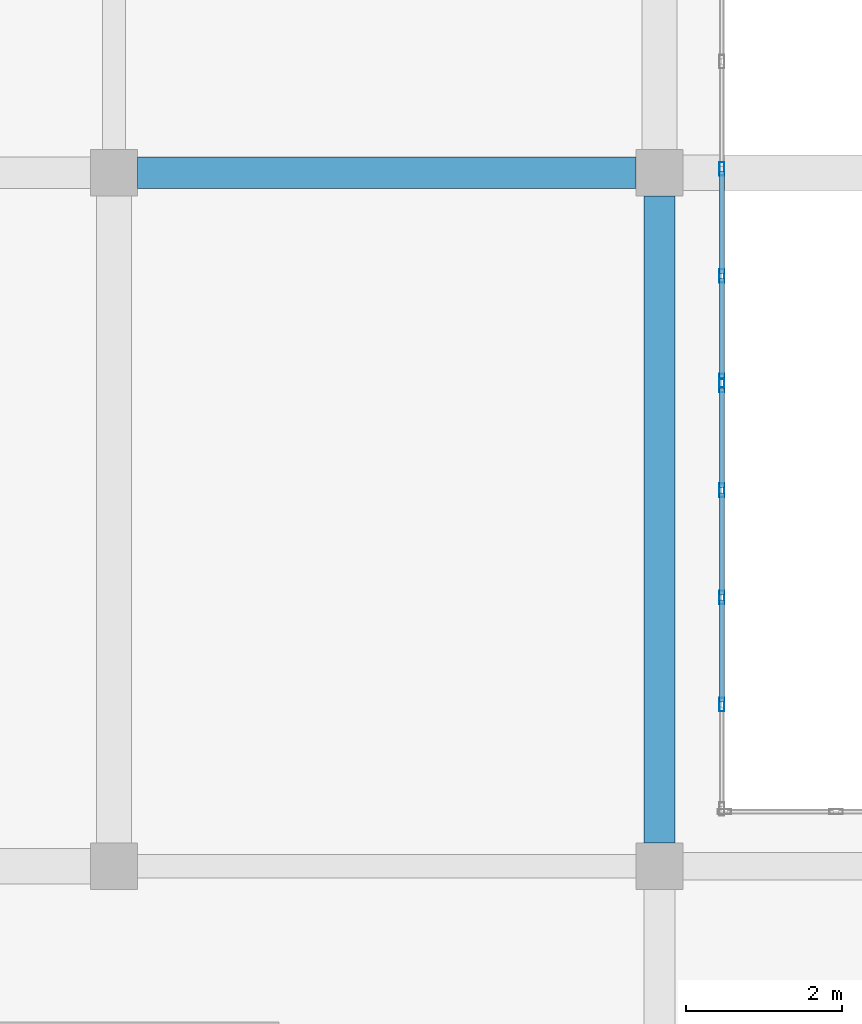
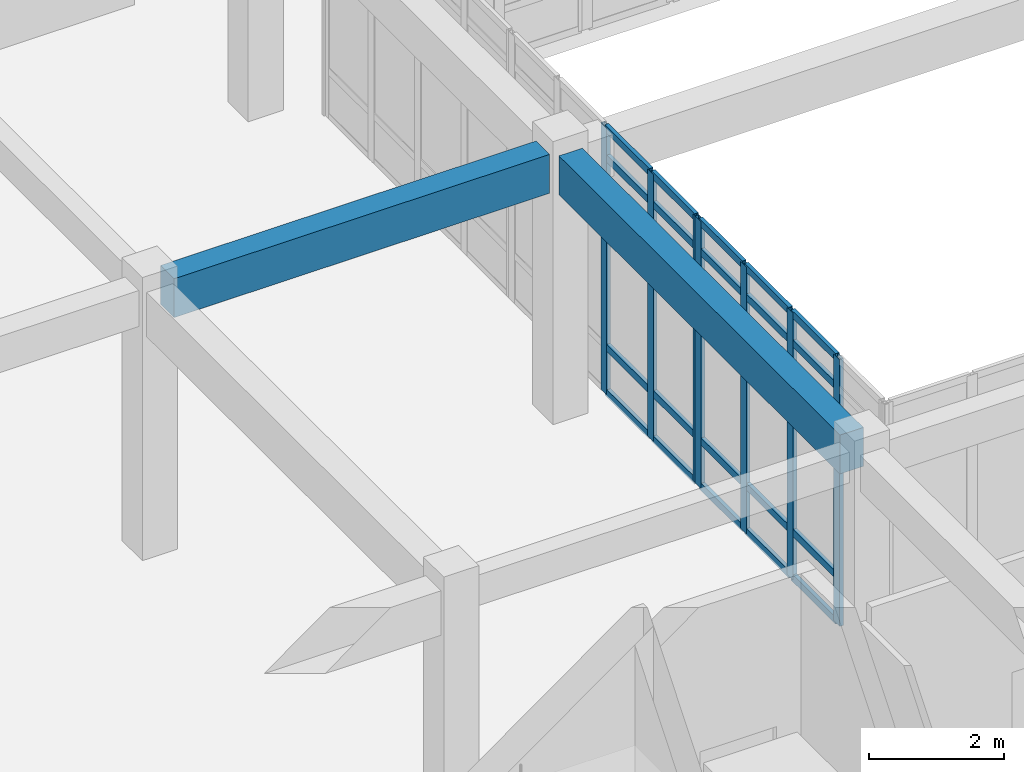
# One storey, part 48 of 121: 27 members, 2 beams, 2 elements without a shape of their own.
"""IFC4 building model written with IfcOpenShell, lengths in metres."""

from ifc_helpers import new_model, si_unit, direction, frame, origin, origin_2d, place, context, subcontext, project, spatial, rectangle, hollow_rectangle, extrude, material, layer, layer_set, material_profile, profile_set, type_object, element, aggregate, save


model = new_model("IFC4")

# Units and contexts
model_context = context("Model", 3, precision=1e-05, world=origin(), true_north=direction((0.0, 1.0)))
body_context = subcontext(model_context, "Body", "Model", "MODEL_VIEW")
ifc_project = project(units=[si_unit("LENGTHUNIT", "METRE"), si_unit("AREAUNIT", "SQUARE_METRE"), si_unit("VOLUMEUNIT", "CUBIC_METRE"), si_unit("PLANEANGLEUNIT", "RADIAN"), si_unit("MASSUNIT", "GRAM", prefix="KILO")], contexts=[model_context])

# Site, building, storey
site_placement = place(None, origin())
site = spatial("IfcSite", under=ifc_project, at=site_placement, CompositionType="ELEMENT")
building_placement = place(site_placement, origin())
building = spatial("IfcBuilding", under=site, at=building_placement, Name="Valcora Specialist Clinic", CompositionType="ELEMENT")
storey_placement = place(building_placement, origin())
storey = spatial("IfcBuildingStorey", under=building, at=storey_placement, Name="L00", CompositionType="ELEMENT", Elevation=0.0)

# Beams
ifc_material_1 = material(Name="Concrete C40/50", Category="concrete")
ifc_material_profile_1 = material_profile(ifc_material_1, rectangle(XDim=0.39990234375, YDim=0.699951171875, at=origin_2d()), Name="RC-BM-400X700")
ifc_profile_set_1 = profile_set([ifc_material_profile_1], Name="Concrete C40/50")
beam_type = type_object("IfcBeamType", Name="TY-BM-RC400X700", PredefinedType="BEAM", material=ifc_profile_set_1)
beam_1_placement = place(storey_placement, frame((69.300048828125, 90.199951171875, 4.4599609375), z_axis=(1.0, 0.0, 0.0), x_axis=(0.0, 1.0, 0.0)))
element("IfcBeam", 1, at=beam_1_placement, inside=storey, type_object=beam_type, Name="Beam BM-L00-0550", PredefinedType="BEAM", context=body_context, shape_type="SweptSolid", body=[
    extrude(rectangle(XDim=0.39990234375, YDim=0.699951171875, at=origin_2d()), origin(), (0.0, 0.0, 1.0), 6.39990234375),
])
beam_2_placement = place(storey_placement, frame((76.0, 81.60009765625, 4.4599609375), z_axis=(0.0, 1.0, 0.0), x_axis=(-1.0, 0.0, 0.0)))
element("IfcBeam", 2, at=beam_2_placement, inside=storey, type_object=beam_type, Name="Beam BM-L00-0584", PredefinedType="BEAM", context=body_context, shape_type="SweptSolid", body=[
    extrude(rectangle(XDim=0.39990234375, YDim=0.699951171875, at=origin_2d()), origin(), (0.0, 0.0, 1.0), 8.2998046875),
])

# Curtain wall, members
ifc_material_2 = material(Name="Anodized Bronze Aluminium 6063-T6", Category="aluminium")
ifc_layer = layer(ifc_material_2, 0.175048828125)
ifc_layer_set = layer_set([ifc_layer], Name="Anodized Bronze Aluminium 6063-T6")
curtain_wall_type = type_object("IfcCurtainWallType", Name="TY-CW-CRT15", PredefinedType="NOTDEFINED", material=ifc_layer_set)
curtain_wall_1_placement = place(storey_placement, origin())
curtain_wall_1 = element("IfcCurtainWall", 3, at=curtain_wall_1_placement, inside=storey, type_object=curtain_wall_type, Name="Curtain wall CW-L00-039", PredefinedType="NOTDEFINED")
ifc_material_profile_2 = material_profile(ifc_material_2, hollow_rectangle(XDim=0.06494140625, YDim=0.175048828125, WallThickness=0.00390625, at=origin_2d()), Name="AL-MUL-65X175")
ifc_profile_set_2 = profile_set([ifc_material_profile_2], Name="Anodized Bronze Aluminium 6063-T6")
member_type_1 = type_object("IfcMemberType", Name="TY-CWM-65X175", PredefinedType="MULLION", material=ifc_profile_set_2)
member_1_placement = place(storey_placement, frame((76.800048828125, 90.25, 0.0), z_axis=(0.0, 0.0, 1.0), x_axis=(1.0, 0.0, 0.0)))
member_1 = element("IfcMember", 4, at=member_1_placement, type_object=member_type_1, Name="CW-CRT-15 mullion 3", PredefinedType="MULLION", context=body_context, shape_type="SweptSolid", body=[
    extrude(hollow_rectangle(XDim=0.06494140625, YDim=0.175048828125, WallThickness=0.00390625, at=origin_2d()), origin(), (0.0, 0.0, 1.0), 4.81005859375),
])
member_2_placement = place(storey_placement, frame((76.800048828125, 88.875, 0.0), z_axis=(0.0, 0.0, 1.0), x_axis=(1.0, 0.0, 0.0)))
member_2 = element("IfcMember", 5, at=member_2_placement, type_object=member_type_1, Name="CW-CRT-15 mullion 4", PredefinedType="MULLION", context=body_context, shape_type="SweptSolid", body=[
    extrude(hollow_rectangle(XDim=0.06494140625, YDim=0.175048828125, WallThickness=0.00390625, at=origin_2d()), origin(), (0.0, 0.0, 1.0), 4.81005859375),
])
member_3_placement = place(storey_placement, frame((76.800048828125, 87.532470703125, 0.0), z_axis=(0.0, 0.0, 1.0), x_axis=(1.0, 0.0, 0.0)))
member_3 = element("IfcMember", 6, at=member_3_placement, type_object=member_type_1, Name="CW-CRT-15 mullion 5", PredefinedType="MULLION", context=body_context, shape_type="SweptSolid", body=[
    extrude(hollow_rectangle(XDim=0.06494140625, YDim=0.175048828125, WallThickness=0.00390625, at=origin_2d()), origin(), (0.0, 0.0, 1.0), 4.81005859375),
])

curtain_wall_2_placement = place(storey_placement, origin())
curtain_wall_2 = element("IfcCurtainWall", 7, at=curtain_wall_2_placement, inside=storey, type_object=curtain_wall_type, Name="Curtain wall CW-L00-040", PredefinedType="NOTDEFINED")
member_4_placement = place(storey_placement, frame((76.800048828125, 87.467529296875, 0.0), z_axis=(0.0, 0.0, 1.0), x_axis=(1.0, 0.0, 0.0)))
member_4 = element("IfcMember", 8, at=member_4_placement, type_object=member_type_1, Name="CW-CRT-15 mullion 1", PredefinedType="MULLION", context=body_context, shape_type="SweptSolid", body=[
    extrude(hollow_rectangle(XDim=0.06494140625, YDim=0.175048828125, WallThickness=0.00390625, at=origin_2d()), origin(), (0.0, 0.0, 1.0), 4.81005859375),
])
member_5_placement = place(storey_placement, frame((76.800048828125, 86.125, 0.0), z_axis=(0.0, 0.0, 1.0), x_axis=(1.0, 0.0, 0.0)))
member_5 = element("IfcMember", 9, at=member_5_placement, type_object=member_type_1, Name="CW-CRT-15 mullion 2", PredefinedType="MULLION", context=body_context, shape_type="SweptSolid", body=[
    extrude(hollow_rectangle(XDim=0.06494140625, YDim=0.175048828125, WallThickness=0.00390625, at=origin_2d()), origin(), (0.0, 0.0, 1.0), 4.81005859375),
])
member_6_placement = place(storey_placement, frame((76.800048828125, 84.75, 0.0), z_axis=(0.0, 0.0, 1.0), x_axis=(1.0, 0.0, 0.0)))
member_6 = element("IfcMember", 10, at=member_6_placement, type_object=member_type_1, Name="CW-CRT-15 mullion 3", PredefinedType="MULLION", context=body_context, shape_type="SweptSolid", body=[
    extrude(hollow_rectangle(XDim=0.06494140625, YDim=0.175048828125, WallThickness=0.00390625, at=origin_2d()), origin(), (0.0, 0.0, 1.0), 4.81005859375),
])
member_7_placement = place(storey_placement, frame((76.800048828125, 83.375, 0.0), z_axis=(0.0, 0.0, 1.0), x_axis=(1.0, 0.0, 0.0)))
member_7 = element("IfcMember", 11, at=member_7_placement, type_object=member_type_1, Name="CW-CRT-15 mullion 4", PredefinedType="MULLION", context=body_context, shape_type="SweptSolid", body=[
    extrude(hollow_rectangle(XDim=0.06494140625, YDim=0.175048828125, WallThickness=0.00390625, at=origin_2d()), origin(), (0.0, 0.0, 1.0), 4.81005859375),
])

# Member
ifc_material_profile_3 = material_profile(ifc_material_2, hollow_rectangle(XDim=0.06494140625, YDim=0.1298828125, WallThickness=0.00390625, at=origin_2d()), Name="AL-TRN-65X130")
ifc_profile_set_3 = profile_set([ifc_material_profile_3], Name="Anodized Bronze Aluminium 6063-T6")
member_type_2 = type_object("IfcMemberType", Name="TY-CWT-65X130", PredefinedType="USERDEFINED", material=ifc_profile_set_3)
member_8_placement = place(storey_placement, frame((76.800048828125, 90.217529296875, 0.032470703125), z_axis=(0.0, -1.0, 0.0), x_axis=(1.0, 0.0, 0.0)))
member_8 = element("IfcMember", 12, at=member_8_placement, type_object=member_type_2, Name="CW-CRT-15 transom 3.1", ObjectType="TRANSOM", PredefinedType="USERDEFINED", context=body_context, shape_type="SweptSolid", body=[
    extrude(hollow_rectangle(XDim=0.06494140625, YDim=0.1298828125, WallThickness=0.00390625, at=origin_2d()), origin(), (0.0, 0.0, 1.0), 1.31005859375),
])

member_9_placement = place(storey_placement, frame((76.800048828125, 90.217529296875, 0.85009765625), z_axis=(0.0, -1.0, 0.0), x_axis=(1.0, 0.0, 0.0)))
member_9 = element("IfcMember", 13, at=member_9_placement, type_object=member_type_2, Name="CW-CRT-15 transom 3.2", ObjectType="TRANSOM", PredefinedType="USERDEFINED", context=body_context, shape_type="SweptSolid", body=[
    extrude(hollow_rectangle(XDim=0.06494140625, YDim=0.1298828125, WallThickness=0.00390625, at=origin_2d()), origin(), (0.0, 0.0, 1.0), 1.31005859375),
])

member_10_placement = place(storey_placement, frame((76.800048828125, 90.217529296875, 4.260009765625), z_axis=(0.0, -1.0, 0.0), x_axis=(1.0, 0.0, 0.0)))
member_10 = element("IfcMember", 14, at=member_10_placement, type_object=member_type_2, Name="CW-CRT-15 transom 3.3", ObjectType="TRANSOM", PredefinedType="USERDEFINED", context=body_context, shape_type="SweptSolid", body=[
    extrude(hollow_rectangle(XDim=0.06494140625, YDim=0.1298828125, WallThickness=0.00390625, at=origin_2d()), origin(), (0.0, 0.0, 1.0), 1.31005859375),
])

member_11_placement = place(storey_placement, frame((76.800048828125, 90.217529296875, 4.777587890625), z_axis=(0.0, -1.0, 0.0), x_axis=(1.0, 0.0, 0.0)))
member_11 = element("IfcMember", 15, at=member_11_placement, type_object=member_type_2, Name="CW-CRT-15 transom 3.4", ObjectType="TRANSOM", PredefinedType="USERDEFINED", context=body_context, shape_type="SweptSolid", body=[
    extrude(hollow_rectangle(XDim=0.06494140625, YDim=0.1298828125, WallThickness=0.00390625, at=origin_2d()), origin(), (0.0, 0.0, 1.0), 1.31005859375),
])

member_12_placement = place(storey_placement, frame((76.800048828125, 88.842529296875, 0.032470703125), z_axis=(0.0, -1.0, 0.0), x_axis=(1.0, 0.0, 0.0)))
member_12 = element("IfcMember", 16, at=member_12_placement, type_object=member_type_2, Name="CW-CRT-15 transom 4.1", ObjectType="TRANSOM", PredefinedType="USERDEFINED", context=body_context, shape_type="SweptSolid", body=[
    extrude(hollow_rectangle(XDim=0.06494140625, YDim=0.1298828125, WallThickness=0.00390625, at=origin_2d()), origin(), (0.0, 0.0, 1.0), 1.277587890625),
])

member_13_placement = place(storey_placement, frame((76.800048828125, 88.842529296875, 0.85009765625), z_axis=(0.0, -1.0, 0.0), x_axis=(1.0, 0.0, 0.0)))
member_13 = element("IfcMember", 17, at=member_13_placement, type_object=member_type_2, Name="CW-CRT-15 transom 4.2", ObjectType="TRANSOM", PredefinedType="USERDEFINED", context=body_context, shape_type="SweptSolid", body=[
    extrude(hollow_rectangle(XDim=0.06494140625, YDim=0.1298828125, WallThickness=0.00390625, at=origin_2d()), origin(), (0.0, 0.0, 1.0), 1.277587890625),
])

member_14_placement = place(storey_placement, frame((76.800048828125, 88.842529296875, 4.260009765625), z_axis=(0.0, -1.0, 0.0), x_axis=(1.0, 0.0, 0.0)))
member_14 = element("IfcMember", 18, at=member_14_placement, type_object=member_type_2, Name="CW-CRT-15 transom 4.3", ObjectType="TRANSOM", PredefinedType="USERDEFINED", context=body_context, shape_type="SweptSolid", body=[
    extrude(hollow_rectangle(XDim=0.06494140625, YDim=0.1298828125, WallThickness=0.00390625, at=origin_2d()), origin(), (0.0, 0.0, 1.0), 1.277587890625),
])

member_15_placement = place(storey_placement, frame((76.800048828125, 88.842529296875, 4.777587890625), z_axis=(0.0, -1.0, 0.0), x_axis=(1.0, 0.0, 0.0)))
member_15 = element("IfcMember", 19, at=member_15_placement, type_object=member_type_2, Name="CW-CRT-15 transom 4.4", ObjectType="TRANSOM", PredefinedType="USERDEFINED", context=body_context, shape_type="SweptSolid", body=[
    extrude(hollow_rectangle(XDim=0.06494140625, YDim=0.1298828125, WallThickness=0.00390625, at=origin_2d()), origin(), (0.0, 0.0, 1.0), 1.277587890625),
])

aggregate(curtain_wall_1, [member_1, member_2, member_3, member_8, member_9, member_10, member_11, member_12, member_13, member_14, member_15])

member_16_placement = place(storey_placement, frame((76.800048828125, 87.43505859375, 0.032470703125), z_axis=(0.0, -1.0, 0.0), x_axis=(1.0, 0.0, 0.0)))
member_16 = element("IfcMember", 20, at=member_16_placement, type_object=member_type_2, Name="CW-CRT-15 transom 1.1", ObjectType="TRANSOM", PredefinedType="USERDEFINED", context=body_context, shape_type="SweptSolid", body=[
    extrude(hollow_rectangle(XDim=0.06494140625, YDim=0.1298828125, WallThickness=0.00390625, at=origin_2d()), origin(), (0.0, 0.0, 1.0), 1.277587890625),
])

member_17_placement = place(storey_placement, frame((76.800048828125, 87.43505859375, 0.85009765625), z_axis=(0.0, -1.0, 0.0), x_axis=(1.0, 0.0, 0.0)))
member_17 = element("IfcMember", 21, at=member_17_placement, type_object=member_type_2, Name="CW-CRT-15 transom 1.2", ObjectType="TRANSOM", PredefinedType="USERDEFINED", context=body_context, shape_type="SweptSolid", body=[
    extrude(hollow_rectangle(XDim=0.06494140625, YDim=0.1298828125, WallThickness=0.00390625, at=origin_2d()), origin(), (0.0, 0.0, 1.0), 1.277587890625),
])

member_18_placement = place(storey_placement, frame((76.800048828125, 87.43505859375, 4.260009765625), z_axis=(0.0, -1.0, 0.0), x_axis=(1.0, 0.0, 0.0)))
member_18 = element("IfcMember", 22, at=member_18_placement, type_object=member_type_2, Name="CW-CRT-15 transom 1.3", ObjectType="TRANSOM", PredefinedType="USERDEFINED", context=body_context, shape_type="SweptSolid", body=[
    extrude(hollow_rectangle(XDim=0.06494140625, YDim=0.1298828125, WallThickness=0.00390625, at=origin_2d()), origin(), (0.0, 0.0, 1.0), 1.277587890625),
])

member_19_placement = place(storey_placement, frame((76.800048828125, 87.43505859375, 4.777587890625), z_axis=(0.0, -1.0, 0.0), x_axis=(1.0, 0.0, 0.0)))
member_19 = element("IfcMember", 23, at=member_19_placement, type_object=member_type_2, Name="CW-CRT-15 transom 1.4", ObjectType="TRANSOM", PredefinedType="USERDEFINED", context=body_context, shape_type="SweptSolid", body=[
    extrude(hollow_rectangle(XDim=0.06494140625, YDim=0.1298828125, WallThickness=0.00390625, at=origin_2d()), origin(), (0.0, 0.0, 1.0), 1.277587890625),
])

member_20_placement = place(storey_placement, frame((76.800048828125, 86.092529296875, 0.032470703125), z_axis=(0.0, -1.0, 0.0), x_axis=(1.0, 0.0, 0.0)))
member_20 = element("IfcMember", 24, at=member_20_placement, type_object=member_type_2, Name="CW-CRT-15 transom 2.1", ObjectType="TRANSOM", PredefinedType="USERDEFINED", context=body_context, shape_type="SweptSolid", body=[
    extrude(hollow_rectangle(XDim=0.06494140625, YDim=0.1298828125, WallThickness=0.00390625, at=origin_2d()), origin(), (0.0, 0.0, 1.0), 1.31005859375),
])

member_21_placement = place(storey_placement, frame((76.800048828125, 86.092529296875, 0.85009765625), z_axis=(0.0, -1.0, 0.0), x_axis=(1.0, 0.0, 0.0)))
member_21 = element("IfcMember", 25, at=member_21_placement, type_object=member_type_2, Name="CW-CRT-15 transom 2.2", ObjectType="TRANSOM", PredefinedType="USERDEFINED", context=body_context, shape_type="SweptSolid", body=[
    extrude(hollow_rectangle(XDim=0.06494140625, YDim=0.1298828125, WallThickness=0.00390625, at=origin_2d()), origin(), (0.0, 0.0, 1.0), 1.31005859375),
])

member_22_placement = place(storey_placement, frame((76.800048828125, 86.092529296875, 4.260009765625), z_axis=(0.0, -1.0, 0.0), x_axis=(1.0, 0.0, 0.0)))
member_22 = element("IfcMember", 26, at=member_22_placement, type_object=member_type_2, Name="CW-CRT-15 transom 2.3", ObjectType="TRANSOM", PredefinedType="USERDEFINED", context=body_context, shape_type="SweptSolid", body=[
    extrude(hollow_rectangle(XDim=0.06494140625, YDim=0.1298828125, WallThickness=0.00390625, at=origin_2d()), origin(), (0.0, 0.0, 1.0), 1.31005859375),
])

member_23_placement = place(storey_placement, frame((76.800048828125, 86.092529296875, 4.777587890625), z_axis=(0.0, -1.0, 0.0), x_axis=(1.0, 0.0, 0.0)))
member_23 = element("IfcMember", 27, at=member_23_placement, type_object=member_type_2, Name="CW-CRT-15 transom 2.4", ObjectType="TRANSOM", PredefinedType="USERDEFINED", context=body_context, shape_type="SweptSolid", body=[
    extrude(hollow_rectangle(XDim=0.06494140625, YDim=0.1298828125, WallThickness=0.00390625, at=origin_2d()), origin(), (0.0, 0.0, 1.0), 1.31005859375),
])

member_24_placement = place(storey_placement, frame((76.800048828125, 84.717529296875, 0.032470703125), z_axis=(0.0, -1.0, 0.0), x_axis=(1.0, 0.0, 0.0)))
member_24 = element("IfcMember", 28, at=member_24_placement, type_object=member_type_2, Name="CW-CRT-15 transom 3.1", ObjectType="TRANSOM", PredefinedType="USERDEFINED", context=body_context, shape_type="SweptSolid", body=[
    extrude(hollow_rectangle(XDim=0.06494140625, YDim=0.1298828125, WallThickness=0.00390625, at=origin_2d()), origin(), (0.0, 0.0, 1.0), 1.31005859375),
])

member_25_placement = place(storey_placement, frame((76.800048828125, 84.717529296875, 0.85009765625), z_axis=(0.0, -1.0, 0.0), x_axis=(1.0, 0.0, 0.0)))
member_25 = element("IfcMember", 29, at=member_25_placement, type_object=member_type_2, Name="CW-CRT-15 transom 3.2", ObjectType="TRANSOM", PredefinedType="USERDEFINED", context=body_context, shape_type="SweptSolid", body=[
    extrude(hollow_rectangle(XDim=0.06494140625, YDim=0.1298828125, WallThickness=0.00390625, at=origin_2d()), origin(), (0.0, 0.0, 1.0), 1.31005859375),
])

member_26_placement = place(storey_placement, frame((76.800048828125, 84.717529296875, 4.260009765625), z_axis=(0.0, -1.0, 0.0), x_axis=(1.0, 0.0, 0.0)))
member_26 = element("IfcMember", 30, at=member_26_placement, type_object=member_type_2, Name="CW-CRT-15 transom 3.3", ObjectType="TRANSOM", PredefinedType="USERDEFINED", context=body_context, shape_type="SweptSolid", body=[
    extrude(hollow_rectangle(XDim=0.06494140625, YDim=0.1298828125, WallThickness=0.00390625, at=origin_2d()), origin(), (0.0, 0.0, 1.0), 1.31005859375),
])

member_27_placement = place(storey_placement, frame((76.800048828125, 84.717529296875, 4.777587890625), z_axis=(0.0, -1.0, 0.0), x_axis=(1.0, 0.0, 0.0)))
member_27 = element("IfcMember", 31, at=member_27_placement, type_object=member_type_2, Name="CW-CRT-15 transom 3.4", ObjectType="TRANSOM", PredefinedType="USERDEFINED", context=body_context, shape_type="SweptSolid", body=[
    extrude(hollow_rectangle(XDim=0.06494140625, YDim=0.1298828125, WallThickness=0.00390625, at=origin_2d()), origin(), (0.0, 0.0, 1.0), 1.31005859375),
])

aggregate(curtain_wall_2, [member_4, member_5, member_6, member_7, member_16, member_17, member_18, member_19, member_20, member_21, member_22, member_23, member_24, member_25, member_26, member_27])

save(model, "model.ifc")
